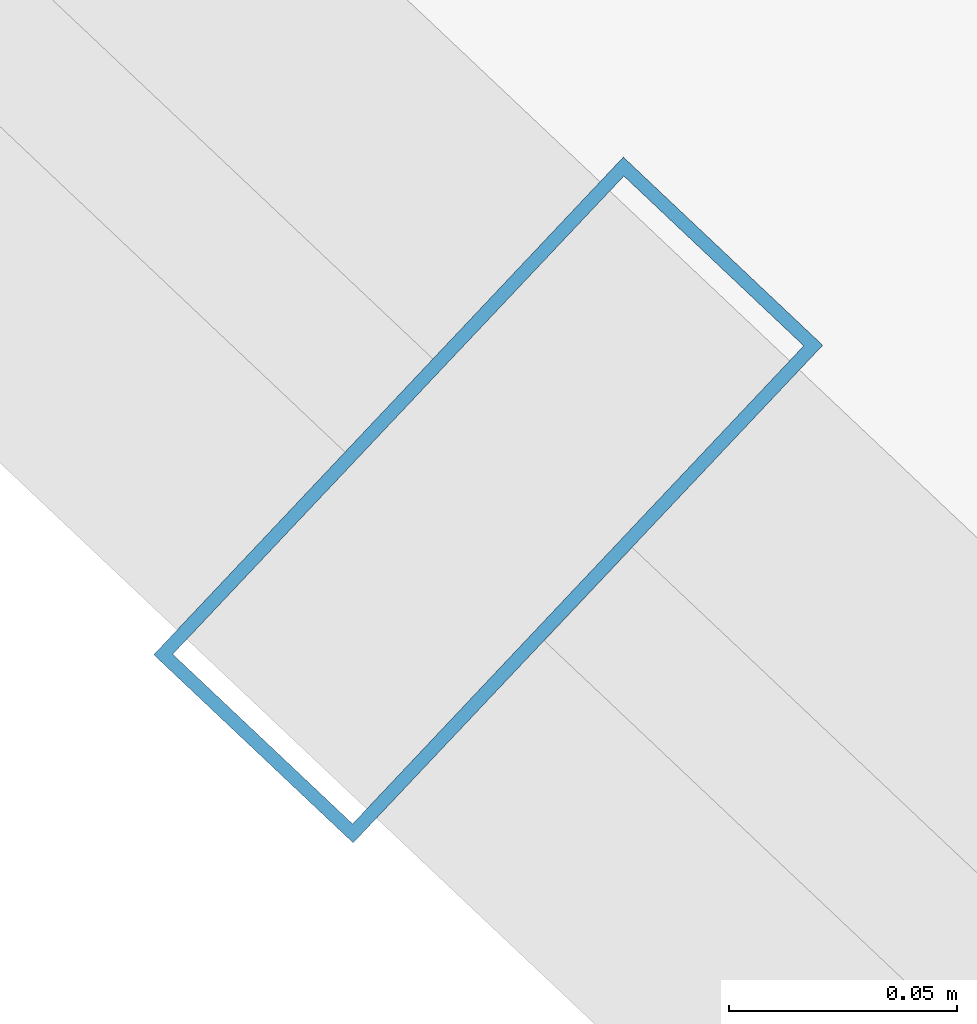
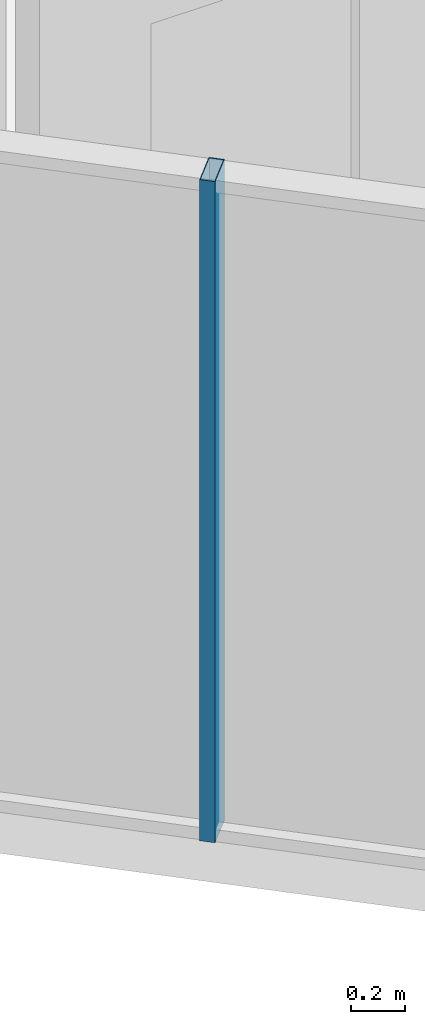
# One storey, part 2 of 28: 1 member, 1 element without a shape of its own.
"""IFC4 building model written with IfcOpenShell, lengths in metres."""

from ifc_helpers import new_model, si_unit, direction, frame, origin, origin_2d, place, context, subcontext, project, spatial, hollow_rectangle, extrude, source, transform, mapped, material, layer, layer_set, material_profile, profile_set, type_object, element, aggregate, save


model = new_model("IFC4")

# Units and contexts
model_context = context("Model", 3, precision=1e-05, world=origin(), true_north=direction((0.0, 1.0)))
body_context = subcontext(model_context, "Body", "Model", "MODEL_VIEW")
ifc_project = project(units=[si_unit("LENGTHUNIT", "METRE"), si_unit("AREAUNIT", "SQUARE_METRE"), si_unit("VOLUMEUNIT", "CUBIC_METRE"), si_unit("PLANEANGLEUNIT", "RADIAN"), si_unit("MASSUNIT", "GRAM", prefix="KILO")], contexts=[model_context])

# Site, building, storey
site_placement = place(None, origin())
site = spatial("IfcSite", under=ifc_project, at=site_placement, CompositionType="ELEMENT")
building_placement = place(site_placement, origin())
building = spatial("IfcBuilding", under=site, at=building_placement, Name="Veraguas Prism Commons", CompositionType="ELEMENT")
storey_placement = place(building_placement, frame((0.0, 0.0, 254.5)))
storey = spatial("IfcBuildingStorey", under=building, at=storey_placement, Name="L72", CompositionType="ELEMENT", Elevation=254.5)

# Curtain wall, member
ifc_material = material(Name="Anodised aluminium EN AW-6063 T6", Category="aluminium")
ifc_layer = layer(ifc_material, 0.14990234375, Name="Unitised Flush Curtain Wall Zone 4", Category="aluminium")
ifc_layer_set = layer_set([ifc_layer], Name="Anodised aluminium EN AW-6063 T6")
curtain_wall_type = type_object("IfcCurtainWallType", Name="Unitised Flush Curtain Wall Zone 4", PredefinedType="NOTDEFINED", material=ifc_layer_set)
curtain_wall_placement = place(storey_placement, origin())
curtain_wall = element("IfcCurtainWall", 1, at=curtain_wall_placement, inside=storey, type_object=curtain_wall_type, Name="Tower Facade Curtain Wall L72-F4", PredefinedType="NOTDEFINED")
ifc_material_profile = material_profile(ifc_material, hollow_rectangle(XDim=0.06005859375, YDim=0.14990234375, WallThickness=0.0029296875, at=origin_2d()), Name="AL60X150X3")
ifc_profile_set = profile_set([ifc_material_profile], Name="Anodised aluminium EN AW-6063 T6")
member_type = type_object("IfcMemberType", Name="Curtain Wall Mullion Upper AL 60x150x3", PredefinedType="MULLION", material=ifc_profile_set)
shared_shape = source(origin(), body_context, "Body", "SweptSolid", [
    extrude(hollow_rectangle(XDim=0.06005859375, YDim=0.14990234375, WallThickness=0.0029296875, at=origin_2d()), origin(), (0.0, 0.0, 1.0), 3.014892578125),
])
member_placement = place(storey_placement, frame((12.706787109375, 12.03271484375, 0.0), z_axis=(0.0, 0.0, 1.0), x_axis=(0.727296184535, -0.686323728251, 0.0)))
member = element("IfcMember", 2, at=member_placement, type_object=member_type, Name="CW-Z4 Mullion 3", PredefinedType="MULLION", context=body_context, shape_type="MappedRepresentation", body=[
    mapped(shared_shape, transform((0.0, 0.0, 0.0), scale=1.0)),
])
aggregate(curtain_wall, [member])

save(model, "model.ifc")
